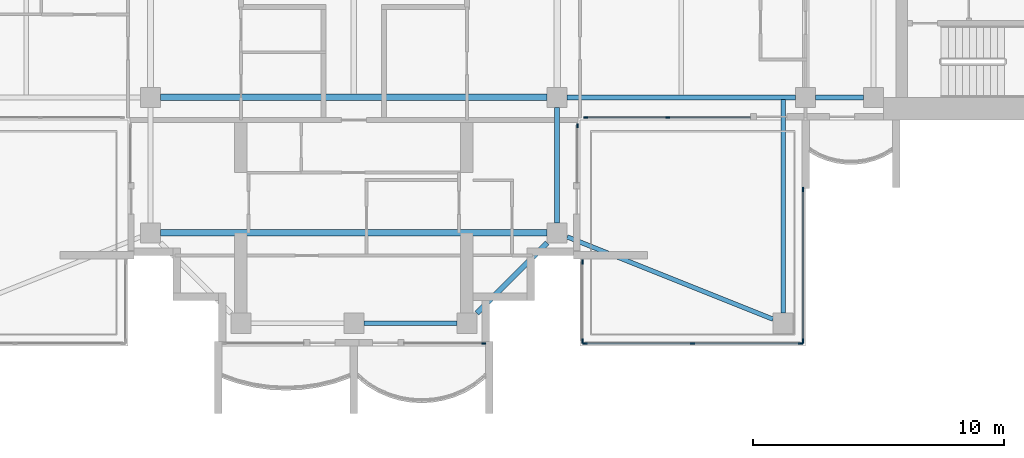
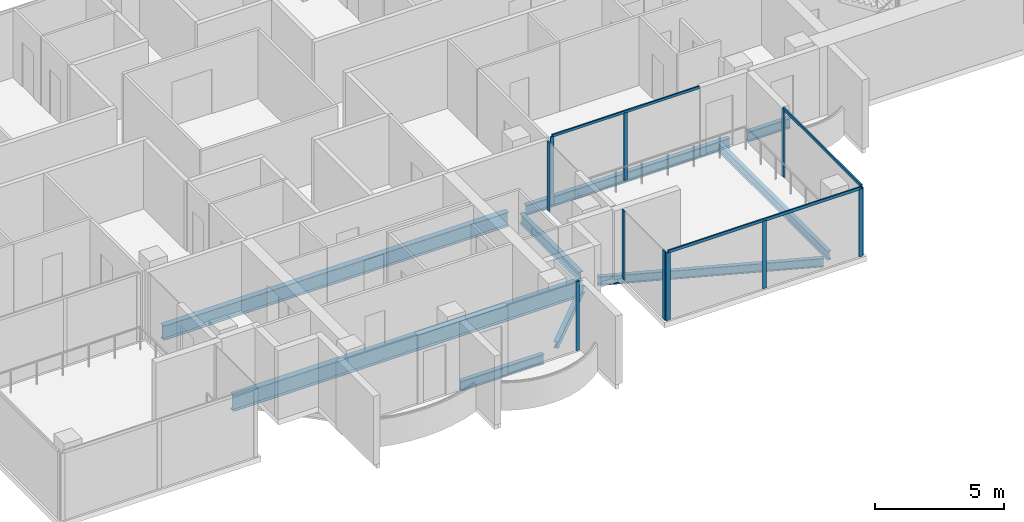
# One storey, part 3 of 16: 14 members, 9 beams, 6 elements without a shape of their own.
"""IFC4 building model written with IfcOpenShell, lengths in metres."""

from ifc_helpers import new_model, si_unit, direction, frame, origin, origin_2d, place, context, subcontext, project, spatial, rectangle, i_section, extrude, material, material_profile, profile_set, type_object, element, aggregate, save


model = new_model("IFC4")

# Units and contexts
model_context = context("Model", 3, precision=1e-05, world=origin(), true_north=direction((0.0, 1.0)))
body_context = subcontext(model_context, "Body", "Model", "MODEL_VIEW")
ifc_project = project(units=[si_unit("LENGTHUNIT", "METRE"), si_unit("AREAUNIT", "SQUARE_METRE"), si_unit("VOLUMEUNIT", "CUBIC_METRE"), si_unit("PLANEANGLEUNIT", "RADIAN"), si_unit("MASSUNIT", "GRAM", prefix="KILO")], contexts=[model_context])

# Site, building, storey
site_placement = place(None, origin())
site = spatial("IfcSite", under=ifc_project, at=site_placement, CompositionType="ELEMENT")
building_placement = place(site_placement, origin())
building = spatial("IfcBuilding", under=site, at=building_placement, Name="Perihelion Cross Residences", CompositionType="ELEMENT")
storey_placement = place(building_placement, frame((0.0, 0.0, 257.0)))
storey = spatial("IfcBuildingStorey", under=building, at=storey_placement, Name="L65", CompositionType="ELEMENT", Elevation=257.0)

# Curtain wall, member
ifc_material_1 = material(Name="Bronze anodised aluminium, tinted glazing", Category="aluminium")
curtain_wall_type_1 = type_object("IfcCurtainWallType", Name="CW1", PredefinedType="NOTDEFINED", material=ifc_material_1)
curtain_wall_1_placement = place(storey_placement, origin())
curtain_wall_1 = element("IfcCurtainWall", 1, at=curtain_wall_1_placement, inside=storey, type_object=curtain_wall_type_1, Name="Curtain wall CW1 L65 south tip south bay 2", PredefinedType="NOTDEFINED")
ifc_material_2 = material(Name="Bronze anodised aluminium", Category="aluminium")
ifc_material_profile_1 = material_profile(ifc_material_2, rectangle(XDim=0.06005859375, YDim=0.159912109375, at=origin_2d()), Name="CW1 mullion")
ifc_profile_set_1 = profile_set([ifc_material_profile_1], Name="Bronze anodised aluminium")
member_type_1 = type_object("IfcMemberType", Name="CW1 mullion", PredefinedType="MULLION", material=ifc_profile_set_1)
member_1_placement = place(storey_placement, frame((5.169921875, -17.89990234375, 0.0), z_axis=(0.0, 0.0, 1.0), x_axis=(0.0, 1.0, 0.0)))
member_1 = element("IfcMember", 2, at=member_1_placement, type_object=member_type_1, Name="CW1 mullion 2", PredefinedType="MULLION", context=body_context, shape_type="SweptSolid", body=[
    extrude(rectangle(XDim=0.06005859375, YDim=0.159912109375, at=origin_2d()), origin(), (0.0, 0.0, 1.0), 3.25),
])
aggregate(curtain_wall_1, [member_1])

curtain_wall_2_placement = place(storey_placement, origin())
curtain_wall_2 = element("IfcCurtainWall", 3, at=curtain_wall_2_placement, inside=storey, type_object=curtain_wall_type_1, Name="Curtain wall CW1 L65 south side east bay 1", PredefinedType="NOTDEFINED")
member_2_placement = place(storey_placement, frame((8.89990234375, -9.22998046875, 0.0), z_axis=(0.0, 0.0, 1.0), x_axis=(-1.0, 0.0, 0.0)))
member_2 = element("IfcMember", 4, at=member_2_placement, type_object=member_type_1, Name="CW1 mullion 2", PredefinedType="MULLION", context=body_context, shape_type="SweptSolid", body=[
    extrude(rectangle(XDim=0.06005859375, YDim=0.159912109375, at=origin_2d()), origin(), (0.0, 0.0, 1.0), 3.25),
])
aggregate(curtain_wall_2, [member_2])

# Curtain wall, members
curtain_wall_3_placement = place(storey_placement, origin())
curtain_wall_3 = element("IfcCurtainWall", 5, at=curtain_wall_3_placement, inside=storey, type_object=curtain_wall_type_1, Name="Curtain wall CW1 L65 east side south bay 1", PredefinedType="NOTDEFINED")
member_3_placement = place(storey_placement, frame((9.22998046875, -8.89990234375, 0.0), z_axis=(0.0, 0.0, 1.0), x_axis=(0.0, 1.0, 0.0)))
member_3 = element("IfcMember", 6, at=member_3_placement, type_object=member_type_1, Name="CW1 mullion 1", PredefinedType="MULLION", context=body_context, shape_type="SweptSolid", body=[
    extrude(rectangle(XDim=0.06005859375, YDim=0.159912109375, at=origin_2d()), origin(), (0.0, 0.0, 1.0), 3.18994140625),
])
member_4_placement = place(storey_placement, frame((12.5, -8.89990234375, 0.0), z_axis=(0.0, 0.0, 1.0), x_axis=(0.0, 1.0, 0.0)))
member_4 = element("IfcMember", 7, at=member_4_placement, type_object=member_type_1, Name="CW1 mullion 2", PredefinedType="MULLION", context=body_context, shape_type="SweptSolid", body=[
    extrude(rectangle(XDim=0.06005859375, YDim=0.159912109375, at=origin_2d()), origin(), (0.0, 0.0, 1.0), 3.18994140625),
])
ifc_material_3 = material(Name="Bronze anodised aluminium", Category="aluminium")
ifc_material_profile_2 = material_profile(ifc_material_3, rectangle(XDim=0.06005859375, YDim=0.1201171875, at=origin_2d()), Name="CW1 transom")
ifc_profile_set_2 = profile_set([ifc_material_profile_2], Name="Bronze anodised aluminium")
member_type_2 = type_object("IfcMemberType", Name="CW1 transom", PredefinedType="USERDEFINED", material=ifc_profile_set_2)
member_5_placement = place(storey_placement, frame((9.22998046875, -8.89990234375, 3.219970703125), z_axis=(1.0, 0.0, 0.0), x_axis=(0.0, 1.0, 0.0)))
member_5 = element("IfcMember", 8, at=member_5_placement, type_object=member_type_2, Name="CW1 head transom", ObjectType="TRANSOM", PredefinedType="USERDEFINED", context=body_context, shape_type="SweptSolid", body=[
    extrude(rectangle(XDim=0.06005859375, YDim=0.1201171875, at=origin_2d()), origin(), (0.0, 0.0, 1.0), 6.570068359375),
])
aggregate(curtain_wall_3, [member_3, member_4, member_5])

ifc_material_4 = material(Name="Bronze anodised aluminium, tinted glazing", Category="aluminium")
curtain_wall_type_2 = type_object("IfcCurtainWallType", Name="CW4", PredefinedType="NOTDEFINED", material=ifc_material_4)
curtain_wall_4_placement = place(storey_placement, origin())
curtain_wall_4 = element("IfcCurtainWall", 9, at=curtain_wall_4_placement, inside=storey, type_object=curtain_wall_type_2, Name="Curtain wall CW4 L65 pocket south-east 1 1", PredefinedType="NOTDEFINED")
ifc_material_5 = material(Name="Bronze anodised aluminium", Category="aluminium")
ifc_material_profile_3 = material_profile(ifc_material_5, rectangle(XDim=0.06005859375, YDim=0.179931640625, at=origin_2d()), Name="CW4 mullion")
ifc_profile_set_3 = profile_set([ifc_material_profile_3], Name="Bronze anodised aluminium")
member_type_3 = type_object("IfcMemberType", Name="CW4 mullion", PredefinedType="MULLION", material=ifc_profile_set_3)
member_6_placement = place(storey_placement, frame((17.89990234375, -11.77001953125, 0.0), z_axis=(0.0, 0.0, 1.0), x_axis=(1.0, 0.0, 0.0)))
member_6 = element("IfcMember", 10, at=member_6_placement, type_object=member_type_3, Name="CW4 mullion 1", PredefinedType="MULLION", context=body_context, shape_type="SweptSolid", body=[
    extrude(rectangle(XDim=0.06005859375, YDim=0.179931640625, at=origin_2d()), origin(), (0.0, 0.0, 1.0), 3.18994140625),
])
member_7_placement = place(storey_placement, frame((17.89990234375, -17.800048828125, 0.0), z_axis=(0.0, 0.0, 1.0), x_axis=(1.0, 0.0, 0.0)))
member_7 = element("IfcMember", 11, at=member_7_placement, type_object=member_type_3, Name="CW4 mullion 2", PredefinedType="MULLION", context=body_context, shape_type="SweptSolid", body=[
    extrude(rectangle(XDim=0.06005859375, YDim=0.179931640625, at=origin_2d()), origin(), (0.0, 0.0, 1.0), 3.18994140625),
])

curtain_wall_5_placement = place(storey_placement, origin())
curtain_wall_5 = element("IfcCurtainWall", 12, at=curtain_wall_5_placement, inside=storey, type_object=curtain_wall_type_2, Name="Curtain wall CW4 L65 pocket south-east 1 2", PredefinedType="NOTDEFINED")
member_8_placement = place(storey_placement, frame((17.800048828125, -17.89990234375, 0.0), z_axis=(0.0, 0.0, 1.0), x_axis=(0.0, -1.0, 0.0)))
member_8 = element("IfcMember", 13, at=member_8_placement, type_object=member_type_3, Name="CW4 mullion 1", PredefinedType="MULLION", context=body_context, shape_type="SweptSolid", body=[
    extrude(rectangle(XDim=0.06005859375, YDim=0.179931640625, at=origin_2d()), origin(), (0.0, 0.0, 1.0), 3.18994140625),
])
member_9_placement = place(storey_placement, frame((13.5, -17.89990234375, 0.0), z_axis=(0.0, 0.0, 1.0), x_axis=(0.0, -1.0, 0.0)))
member_9 = element("IfcMember", 14, at=member_9_placement, type_object=member_type_3, Name="CW4 mullion 2", PredefinedType="MULLION", context=body_context, shape_type="SweptSolid", body=[
    extrude(rectangle(XDim=0.06005859375, YDim=0.179931640625, at=origin_2d()), origin(), (0.0, 0.0, 1.0), 3.18994140625),
])
member_10_placement = place(storey_placement, frame((9.199951171875, -17.89990234375, 0.0), z_axis=(0.0, 0.0, 1.0), x_axis=(0.0, -1.0, 0.0)))
member_10 = element("IfcMember", 15, at=member_10_placement, type_object=member_type_3, Name="CW4 mullion 3", PredefinedType="MULLION", context=body_context, shape_type="SweptSolid", body=[
    extrude(rectangle(XDim=0.06005859375, YDim=0.179931640625, at=origin_2d()), origin(), (0.0, 0.0, 1.0), 3.18994140625),
])

curtain_wall_6_placement = place(storey_placement, origin())
curtain_wall_6 = element("IfcCurtainWall", 16, at=curtain_wall_6_placement, inside=storey, type_object=curtain_wall_type_2, Name="Curtain wall CW4 L65 pocket south-east 1 3", PredefinedType="NOTDEFINED")
member_11_placement = place(storey_placement, frame((9.10009765625, -17.800048828125, 0.0), z_axis=(0.0, 0.0, 1.0), x_axis=(-1.0, 0.0, 0.0)))
member_11 = element("IfcMember", 17, at=member_11_placement, type_object=member_type_3, Name="CW4 mullion 1", PredefinedType="MULLION", context=body_context, shape_type="SweptSolid", body=[
    extrude(rectangle(XDim=0.06005859375, YDim=0.179931640625, at=origin_2d()), origin(), (0.0, 0.0, 1.0), 3.25),
])
member_12_placement = place(storey_placement, frame((9.10009765625, -14.658935546875, 0.0), z_axis=(0.0, 0.0, 1.0), x_axis=(-1.0, 0.0, 0.0)))
member_12 = element("IfcMember", 18, at=member_12_placement, type_object=member_type_3, Name="CW4 mullion 2", PredefinedType="MULLION", context=body_context, shape_type="SweptSolid", body=[
    extrude(rectangle(XDim=0.06005859375, YDim=0.179931640625, at=origin_2d()), origin(), (0.0, 0.0, 1.0), 3.25),
])
aggregate(curtain_wall_6, [member_11, member_12])

# Member
ifc_material_6 = material(Name="Bronze anodised aluminium", Category="aluminium")
ifc_material_profile_4 = material_profile(ifc_material_6, rectangle(XDim=0.06005859375, YDim=0.139892578125, at=origin_2d()), Name="CW4 transom")
ifc_profile_set_4 = profile_set([ifc_material_profile_4], Name="Bronze anodised aluminium")
member_type_4 = type_object("IfcMemberType", Name="CW4 transom", PredefinedType="USERDEFINED", material=ifc_profile_set_4)
member_13_placement = place(storey_placement, frame((17.89990234375, -11.77001953125, 3.219970703125), z_axis=(0.0, -1.0, 0.0), x_axis=(1.0, 0.0, 0.0)))
member_13 = element("IfcMember", 19, at=member_13_placement, type_object=member_type_4, Name="CW4 head transom", ObjectType="TRANSOM", PredefinedType="USERDEFINED", context=body_context, shape_type="SweptSolid", body=[
    extrude(rectangle(XDim=0.06005859375, YDim=0.139892578125, at=origin_2d()), origin(), (0.0, 0.0, 1.0), 6.030029296875),
])

aggregate(curtain_wall_4, [member_6, member_7, member_13])

member_14_placement = place(storey_placement, frame((17.800048828125, -17.89990234375, 3.219970703125), z_axis=(-1.0, 0.0, 0.0), x_axis=(0.0, -1.0, 0.0)))
member_14 = element("IfcMember", 20, at=member_14_placement, type_object=member_type_4, Name="CW4 head transom", ObjectType="TRANSOM", PredefinedType="USERDEFINED", context=body_context, shape_type="SweptSolid", body=[
    extrude(rectangle(XDim=0.06005859375, YDim=0.139892578125, at=origin_2d()), origin(), (0.0, 0.0, 1.0), 8.60009765625),
])

aggregate(curtain_wall_5, [member_8, member_9, member_10, member_14])

# Beams
ifc_material_7 = material(Name="Steel S355", Category="steel")
ifc_material_profile_5 = material_profile(ifc_material_7, i_section(OverallWidth=0.177978515625, OverallDepth=0.406005859375, WebThickness=0.0078125, FlangeThickness=0.0126953125, at=origin_2d()), Name="W410x60")
ifc_profile_set_5 = profile_set([ifc_material_profile_5], Name="Steel S355")
beam_type_1 = type_object("IfcBeamType", Name="Core edge beam W410x60", PredefinedType="BEAM", material=ifc_profile_set_5)
beam_1_placement = place(storey_placement, frame((17.10009765625, -8.197021484375, -0.452880859375), z_axis=(0.0, -1.0, 0.0), x_axis=(1.0, 0.0, 0.0)))
element("IfcBeam", 21, at=beam_1_placement, inside=storey, type_object=beam_type_1, Name="Core edge beam TB2 L65 corner no. 3", PredefinedType="BEAM", context=body_context, shape_type="SweptSolid", body=[
    extrude(i_section(OverallWidth=0.177978515625, OverallDepth=0.406005859375, WebThickness=0.0078125, FlangeThickness=0.0126953125, at=origin_2d()), origin(), (0.0, 0.0, 1.0), 8.5029296875),
])
beam_2_placement = place(storey_placement, frame((8.5, -13.659912109375, -0.452880859375), z_axis=(0.928474784399, -0.371395442534, 0.0), x_axis=(0.371395442534, 0.928474784399, 0.0)))
element("IfcBeam", 22, at=beam_2_placement, inside=storey, type_object=beam_type_1, Name="Core edge beam TB2 L65 corner no. 4", PredefinedType="BEAM", context=body_context, shape_type="SweptSolid", body=[
    extrude(i_section(OverallWidth=0.177978515625, OverallDepth=0.406005859375, WebThickness=0.0078125, FlangeThickness=0.0126953125, at=origin_2d()), origin(), (0.0, 0.0, 1.0), 8.83154296875),
])
ifc_material_8 = material(Name="Steel S355", Category="steel")
ifc_material_profile_6 = material_profile(ifc_material_8, i_section(OverallWidth=0.194091796875, OverallDepth=0.469970703125, WebThickness=0.0126953125, FlangeThickness=0.0205078125, at=origin_2d()), Name="W460x106")
ifc_profile_set_6 = profile_set([ifc_material_profile_6], Name="Steel S355")
beam_type_2 = type_object("IfcBeamType", Name="Edge beam W460x106", PredefinedType="SPANDREL", material=ifc_profile_set_6)
beam_3_placement = place(storey_placement, frame((0.39990234375, -17.10009765625, -0.485107421875), z_axis=(1.0, 0.0, 0.0), x_axis=(0.0, 1.0, 0.0)))
element("IfcBeam", 23, at=beam_3_placement, inside=storey, type_object=beam_type_2, Name="Edge beam SB5 L65 no. 7", PredefinedType="SPANDREL", context=body_context, shape_type="SweptSolid", body=[
    extrude(i_section(OverallWidth=0.194091796875, OverallDepth=0.469970703125, WebThickness=0.0126953125, FlangeThickness=0.0205078125, at=origin_2d()), origin(), (0.0, 0.0, 1.0), 3.7001953125),
])
beam_4_placement = place(storey_placement, frame((8.10009765625, -13.10009765625, -0.485107421875), z_axis=(0.0, 1.0, 0.0), x_axis=(-1.0, 0.0, 0.0)))
element("IfcBeam", 24, at=beam_4_placement, inside=storey, type_object=beam_type_2, Name="Edge beam SB5 L65 no. 11", PredefinedType="SPANDREL", context=body_context, shape_type="SweptSolid", body=[
    extrude(i_section(OverallWidth=0.194091796875, OverallDepth=0.469970703125, WebThickness=0.0126953125, FlangeThickness=0.0205078125, at=origin_2d()), origin(), (0.0, 0.0, 1.0), 4.60009765625),
])
beam_5_placement = place(storey_placement, frame((8.5, -8.10009765625, -0.485107421875), z_axis=(1.0, 0.0, 0.0), x_axis=(0.0, 1.0, 0.0)))
element("IfcBeam", 25, at=beam_5_placement, inside=storey, type_object=beam_type_2, Name="Edge beam SB5 L65 no. 12", PredefinedType="SPANDREL", context=body_context, shape_type="SweptSolid", body=[
    extrude(i_section(OverallWidth=0.194091796875, OverallDepth=0.469970703125, WebThickness=0.0126953125, FlangeThickness=0.0205078125, at=origin_2d()), origin(), (0.0, 0.0, 1.0), 9.10009765625),
])
beam_6_placement = place(storey_placement, frame((18.39990234375, -8.10009765625, -0.485107421875), z_axis=(1.0, 0.0, 0.0), x_axis=(0.0, 1.0, 0.0)))
element("IfcBeam", 26, at=beam_6_placement, inside=storey, type_object=beam_type_2, Name="Edge beam SB5 L65 no. 8", PredefinedType="SPANDREL", context=body_context, shape_type="SweptSolid", body=[
    extrude(i_section(OverallWidth=0.194091796875, OverallDepth=0.469970703125, WebThickness=0.0126953125, FlangeThickness=0.0205078125, at=origin_2d()), origin(), (0.0, 0.0, 1.0), 1.900146484375),
])
ifc_material_9 = material(Name="Steel S355", Category="steel")
ifc_material_profile_7 = material_profile(ifc_material_9, i_section(OverallWidth=0.26708984375, OverallDepth=0.75390625, WebThickness=0.01318359375, FlangeThickness=0.01708984375, at=origin_2d()), Name="W760x147")
ifc_profile_set_7 = profile_set([ifc_material_profile_7], Name="Steel S355")
beam_type_3 = type_object("IfcBeamType", Name="Floor girder W760x147", PredefinedType="BEAM", material=ifc_profile_set_7)
beam_7_placement = place(storey_placement, frame((-7.699951171875, -13.5, -0.626953125), z_axis=(1.0, 0.0, 0.0), x_axis=(0.0, 1.0, 0.0)))
element("IfcBeam", 27, at=beam_7_placement, inside=storey, type_object=beam_type_3, Name="Girder G5 L65 no. 3", PredefinedType="BEAM", context=body_context, shape_type="SweptSolid", body=[
    extrude(i_section(OverallWidth=0.26708984375, OverallDepth=0.75390625, WebThickness=0.01318359375, FlangeThickness=0.01708984375, at=origin_2d()), origin(), (0.0, 0.0, 1.0), 15.39990234375),
])
ifc_material_10 = material(Name="Steel S355", Category="steel")
ifc_material_profile_8 = material_profile(ifc_material_10, i_section(OverallWidth=0.25390625, OverallDepth=0.677978515625, WebThickness=0.01171875, FlangeThickness=0.016357421875, at=origin_2d()), Name="W690x125")
ifc_profile_set_8 = profile_set([ifc_material_profile_8], Name="Steel S355")
beam_type_4 = type_object("IfcBeamType", Name="Hub ring girder W690x125", PredefinedType="BEAM", material=ifc_profile_set_8)
beam_8_placement = place(storey_placement, frame((-7.699951171875, -8.10009765625, -0.589111328125), z_axis=(1.0, 0.0, 0.0), x_axis=(0.0, 1.0, 0.0)))
element("IfcBeam", 28, at=beam_8_placement, inside=storey, type_object=beam_type_4, Name="Hub ring girder RG5 L65 no. 1", PredefinedType="BEAM", context=body_context, shape_type="SweptSolid", body=[
    extrude(i_section(OverallWidth=0.25390625, OverallDepth=0.677978515625, WebThickness=0.01171875, FlangeThickness=0.016357421875, at=origin_2d()), origin(), (0.0, 0.0, 1.0), 15.39990234375),
])
ifc_material_11 = material(Name="Steel S355", Category="steel")
ifc_material_profile_9 = material_profile(ifc_material_11, i_section(OverallWidth=0.202880859375, OverallDepth=0.302001953125, WebThickness=0.007568359375, FlangeThickness=0.01318359375, at=origin_2d()), Name="W310x60")
ifc_profile_set_9 = profile_set([ifc_material_profile_9], Name="Steel S355")
beam_type_5 = type_object("IfcBeamType", Name="Serration edge beam W310x60", PredefinedType="BEAM", material=ifc_profile_set_9)
beam_9_placement = place(storey_placement, frame((4.89990234375, -16.699951171875, -0.40087890625), z_axis=(0.707106781187, 0.707106781187, 0.0), x_axis=(-0.707106781187, 0.707106781187, 0.0)))
element("IfcBeam", 29, at=beam_9_placement, inside=storey, type_object=beam_type_5, Name="Serration edge beam EB5 L65 no. 2", PredefinedType="BEAM", context=body_context, shape_type="SweptSolid", body=[
    extrude(i_section(OverallWidth=0.202880859375, OverallDepth=0.302001953125, WebThickness=0.007568359375, FlangeThickness=0.01318359375, at=origin_2d()), origin(), (0.0, 0.0, 1.0), 3.9599609375),
])

save(model, "model.ifc")
